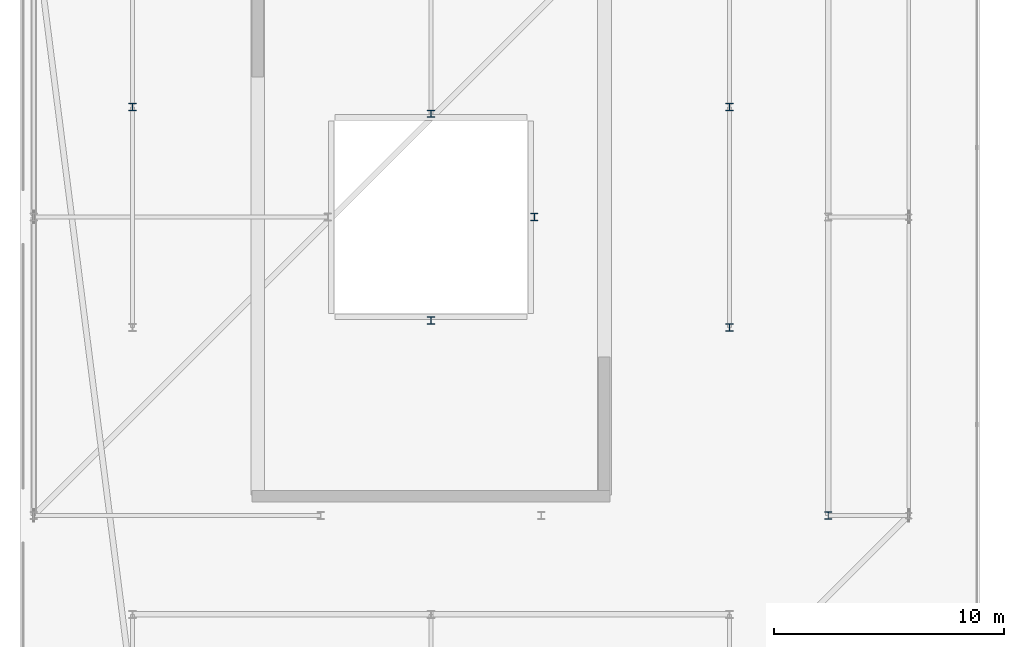
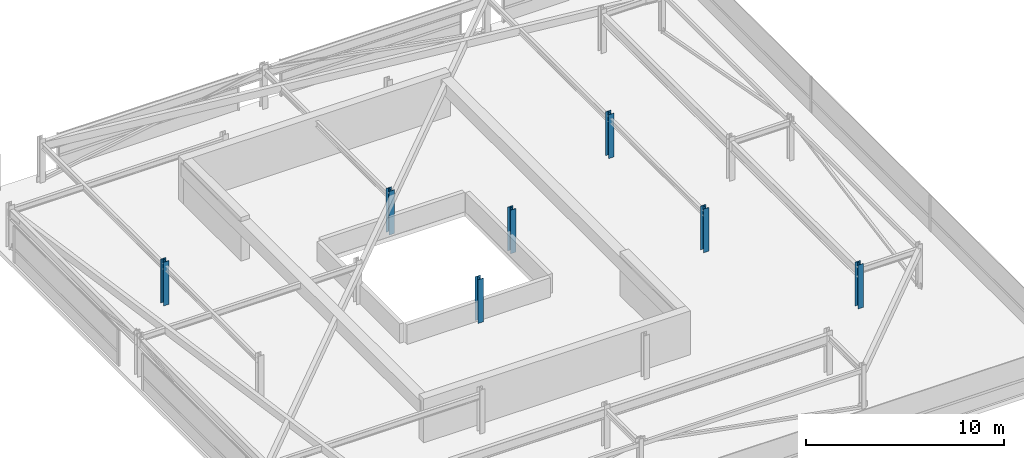
# One storey, part 2 of 44: 7 columns.
"""IFC4 building model written with IfcOpenShell, lengths in metres."""

import ifcopenshell
import ifcopenshell.guid

model = None  # the IFC model being written
_history = None  # IfcOwnerHistory: only IFC2X3 demands one
_inside = {}  # id of a spatial element -> (the spatial element, [elements in it])
_under = {}  # id of a project, library or spatial element -> (it, [spatial elements below it])
_declared = {}  # id of a project -> (the project, [libraries it declares])
_typed = {}  # id of a type object -> (the type object, [elements of that type])
_made_of = {}  # id of a material, layer set ... -> (it, [elements and type objects made of it])


def new_model(schema):
    """Start an empty IFC model of exactly this schema.

    Asked for "IFC4X3", IfcOpenShell would pick the latest addendum, in which some entities
    have other attributes; the version numbers below select the first issue.
    IFC2X3 requires an IfcOwnerHistory on every rooted entity: one is made here for all.
    """
    global model, _history
    if schema == "IFC4X3":
        model = ifcopenshell.file(schema_version=(4, 3, 0, 0))
    else:
        model = ifcopenshell.file(schema=schema)
    _inside.clear()
    _under.clear()
    _declared.clear()
    _typed.clear()
    _made_of.clear()
    _history = None
    if model.schema == "IFC2X3":
        org = make("IfcOrganization", Name="unknown")
        user = make(
            "IfcPersonAndOrganization",
            ThePerson=make("IfcPerson", FamilyName="unknown"),
            TheOrganization=org,
        )
        app = make(
            "IfcApplication",
            ApplicationDeveloper=org,
            Version="unknown",
            ApplicationFullName="unknown",
            ApplicationIdentifier="unknown",
        )
        _history = make(
            "IfcOwnerHistory",
            OwningUser=user,
            OwningApplication=app,
            ChangeAction="ADDED",
            CreationDate=0,
        )
    return model


def make(cls, **values):
    """One entity of the class cls with the attributes given. An attribute that is None is left unset."""
    return model.create_entity(
        cls, **{name: value for name, value in values.items() if value is not None}
    )


def rooted(cls, **values):
    """An entity with a GlobalId (a new one), such as an element, a storey or a relation."""
    return make(cls, GlobalId=ifcopenshell.guid.new(), OwnerHistory=_history, **values)


def si_unit(unit_type, name, prefix=None):
    """IfcSIUnit, for example si_unit("LENGTHUNIT", "METRE", prefix="MILLI")."""
    return make("IfcSIUnit", UnitType=unit_type, Prefix=prefix, Name=name)


def assignment(units):
    """IfcUnitAssignment: the units of a project."""
    return None if units is None else make("IfcUnitAssignment", Units=units)


def point(xyz):
    """IfcCartesianPoint."""
    return None if xyz is None else make("IfcCartesianPoint", Coordinates=xyz)


def direction(xyz):
    """IfcDirection."""
    return None if xyz is None else make("IfcDirection", DirectionRatios=xyz)


def frame(location, z_axis=None, x_axis=None):
    """IfcAxis2Placement3D, a coordinate frame: its origin and axes. An axis left out is left unset."""
    return make(
        "IfcAxis2Placement3D",
        Location=point(location),
        Axis=direction(z_axis),
        RefDirection=direction(x_axis),
    )


def frame_2d(location, x_axis=None):
    """IfcAxis2Placement2D, a coordinate frame in the plane: its origin and x axis."""
    return make(
        "IfcAxis2Placement2D", Location=point(location), RefDirection=direction(x_axis)
    )


def origin():
    """The frame at (0, 0, 0) with its axes left unset."""
    return frame((0.0, 0.0, 0.0))


def origin_2d():
    """The frame at (0, 0) in the plane with its x axis left unset."""
    return frame_2d((0.0, 0.0))


def place(relative_to, where):
    """IfcLocalPlacement: puts the frame where relative to a parent placement (None: the world)."""
    return make(
        "IfcLocalPlacement", PlacementRelTo=relative_to, RelativePlacement=where
    )


def context(
    kind, dimensions, precision=None, world=None, true_north=None, identifier=None
):
    """IfcGeometricRepresentationContext, for example the 3D "Model" context."""
    return make(
        "IfcGeometricRepresentationContext",
        ContextIdentifier=identifier,
        ContextType=kind,
        CoordinateSpaceDimension=dimensions,
        Precision=precision,
        WorldCoordinateSystem=world,
        TrueNorth=true_north,
    )


def subcontext(parent, identifier, kind, view, scale=None):
    """IfcGeometricRepresentationSubContext, for example "Body" below "Model"."""
    return make(
        "IfcGeometricRepresentationSubContext",
        ContextIdentifier=identifier,
        ContextType=kind,
        ParentContext=parent,
        TargetScale=scale,
        TargetView=view,
    )


def project(units=None, contexts=None):
    """IfcProject with its units and contexts."""
    return rooted(
        "IfcProject",
        Name="project",
        RepresentationContexts=contexts,
        UnitsInContext=assignment(units),
    )


def spatial(cls, under=None, at=None, **own):
    """A site, building, storey or space (cls), placed at a placement, below another one or the project."""
    s = rooted(cls, ObjectPlacement=at, **own)
    if under is not None:
        _under.setdefault(under.id(), (under, []))[1].append(s)
    return s


def profile(cls, at=None, kind="AREA", **sizes):
    """A parametric profile (cls). Its sizes go by their IFC names, for example OverallWidth=200.0."""
    return make(cls, ProfileType=kind, Position=at, **sizes)


def i_section(**sizes):
    """IfcIShapeProfileDef."""
    return profile("IfcIShapeProfileDef", **sizes)


def extrude(swept, where, along, depth):
    """IfcExtrudedAreaSolid: the profile swept, set in the frame where, extruded along a direction by depth."""
    return make(
        "IfcExtrudedAreaSolid",
        SweptArea=swept,
        Position=where,
        ExtrudedDirection=direction(along),
        Depth=depth,
    )


def shape(context_of_items, identifier, shape_type, items):
    """IfcShapeRepresentation: the items that make up one representation, for example the "Body"."""
    return make(
        "IfcShapeRepresentation",
        ContextOfItems=context_of_items,
        RepresentationIdentifier=identifier,
        RepresentationType=shape_type,
        Items=items,
    )


def material(Name=None, Category=None):
    """IfcMaterial."""
    return make("IfcMaterial", Name=Name, Category=Category)


def material_profile(
    of_material, cross_section, Name=None, Category=None, Priority=None
):
    """IfcMaterialProfile: a cross section and its material."""
    return make(
        "IfcMaterialProfile",
        Name=Name,
        Material=of_material,
        Profile=cross_section,
        Priority=Priority,
        Category=Category,
    )


def profile_set(profiles, Name=None, composite=None):
    """IfcMaterialProfileSet."""
    return make(
        "IfcMaterialProfileSet",
        Name=Name,
        MaterialProfiles=profiles,
        CompositeProfile=composite,
    )


def made_of(thing, what):
    """Note that an element or type object is made of a material, layer set ...; save() writes the relation."""
    if what is not None:
        _made_of.setdefault(what.id(), (what, []))[1].append(thing)
    return thing


def type_object(cls, material=None, **own):
    """A type object (cls), such as IfcWallType, which elements share."""
    return made_of(rooted(cls, **own), material)


def element(
    cls,
    number,
    at=None,
    inside=None,
    cuts=None,
    type_object=None,
    material=None,
    context=None,
    identifier="Body",
    shape_type=None,
    held_by="IfcProductDefinitionShape",
    body=None,
    shapes=None,
    **own,
):
    """One element of the class cls, such as IfcWall. Its Tag is "e" and its number.

    at: its placement. inside: the storey or other place that contains it. cuts: it is an
    opening in that element (IfcRelVoidsElement). A single representation is given by context,
    identifier, shape_type and body (its items); several are given by shapes. held_by: the class
    of the entity that holds the representations. save() writes the other relations.
    """
    e = rooted(cls, Tag="e%d" % number, ObjectPlacement=at, **own)
    if body is not None:
        shapes = [shape(context, identifier, shape_type, body)]
    if shapes is not None:
        e.Representation = make(held_by, Representations=shapes)
    if inside is not None:
        _inside.setdefault(inside.id(), (inside, []))[1].append(e)
    if cuts is not None:
        rooted(
            "IfcRelVoidsElement", RelatingBuildingElement=cuts, RelatedOpeningElement=e
        )
    if type_object is not None:
        _typed.setdefault(type_object.id(), (type_object, []))[1].append(e)
    return made_of(e, material)


def aggregate(whole, parts):
    """IfcRelAggregates: a whole, such as a stair, and the parts it consists of."""
    return rooted("IfcRelAggregates", RelatingObject=whole, RelatedObjects=parts)


def save(model, path):
    """Write the relations noted so far, then the file.

    IfcRelAggregates (storeys below a building ...), IfcRelContainedInSpatialStructure (elements
    in a storey), IfcRelDefinesByType, IfcRelAssociatesMaterial and IfcRelDeclares: one each for
    every whole, place, type object, material and project.
    """
    for whole, parts in _under.values():
        aggregate(whole, parts)
    for where, things in _inside.values():
        rooted(
            "IfcRelContainedInSpatialStructure",
            RelatedElements=things,
            RelatingStructure=where,
        )
    for kind, things in _typed.values():
        rooted("IfcRelDefinesByType", RelatedObjects=things, RelatingType=kind)
    for what, things in _made_of.values():
        rooted("IfcRelAssociatesMaterial", RelatedObjects=things, RelatingMaterial=what)
    for by, libraries in _declared.values():
        rooted("IfcRelDeclares", RelatingContext=by, RelatedDefinitions=libraries)
    model.write(path)


model = new_model("IFC4")

# Units and contexts
model_context = context("Model", 3, precision=1e-05, world=origin(), true_north=direction((0.0, 1.0)))
body_context = subcontext(model_context, "Body", "Model", "MODEL_VIEW")
ifc_project = project(units=[si_unit("LENGTHUNIT", "METRE"), si_unit("AREAUNIT", "SQUARE_METRE"), si_unit("VOLUMEUNIT", "CUBIC_METRE"), si_unit("PLANEANGLEUNIT", "RADIAN"), si_unit("MASSUNIT", "GRAM", prefix="KILO")], contexts=[model_context])

# Site, building, storey
site_placement = place(None, origin())
site = spatial("IfcSite", under=ifc_project, at=site_placement, CompositionType="ELEMENT")
building_placement = place(site_placement, origin())
building = spatial("IfcBuilding", under=site, at=building_placement, Name="Thornwick Lancets Civic Towers", CompositionType="ELEMENT")
storey_placement = place(building_placement, frame((0.0, 0.0, 294.89990234375)))
storey = spatial("IfcBuildingStorey", under=building, at=storey_placement, Name="C06", CompositionType="ELEMENT", Elevation=294.89990234375)

# Columns
ifc_material = material(Name="Steel S355JR", Category="steel")
ifc_material_profile = material_profile(ifc_material, i_section(OverallWidth=0.30908203125, OverallDepth=0.320556640625, WebThickness=0.013916015625, FlangeThickness=0.021728515625, FilletRadius=0.01513671875, at=origin_2d()), Name="UKC 305x305x137")
ifc_profile_set = profile_set([ifc_material_profile], Name="Steel S355JR")
column_type = type_object("IfcColumnType", Name="COL_UKC_137", PredefinedType="COLUMN", material=ifc_profile_set)
for number, where, z_axis, x_axis, name in (
    (1, (42.800048828125, 14.0, 0.0), (0.0, 0.0, 1.0), (1.0, 0.0, 0.0), "C06 Spine Mega-Column A04"),
    (2, (38.5, 22.199951171875, 0.0), (0.0, 0.0, 1.0), (1.0, 0.0, 0.0), "C06 Spine Mega-Column A14"),
    (3, (12.5, 31.800048828125, 0.0), (0.0, 0.0, 1.0), (1.0, 0.0, 0.0), "C06 Spine Mega-Column A15"),
    (4, (38.5, 31.800048828125, 0.0), (0.0, 0.0, 1.0), (1.0, 0.0, 0.0), "C06 Spine Mega-Column A16"),
    (5, (25.5, 22.5, 0.0), (0.0, 0.0, 1.0), (1.0, 0.0, 0.0), "C06 Spine Mega-Column A21"),
    (6, (25.5, 31.5, 0.0), (0.0, 0.0, 1.0), (1.0, 0.0, 0.0), "C06 Spine Mega-Column A22"),
    (7, (30.0, 27.0, 0.0), (0.0, 0.0, 1.0), (1.0, 0.0, 0.0), "C06 Spine Mega-Column A24"),
):
    element("IfcColumn", number, at=place(storey_placement, frame(where, z_axis=z_axis, x_axis=x_axis)), inside=storey, type_object=column_type, Name=name, PredefinedType="COLUMN", context=body_context, shape_type="SweptSolid", body=[
        extrude(i_section(OverallWidth=0.30908203125, OverallDepth=0.320556640625, WebThickness=0.013916015625, FlangeThickness=0.021728515625, FilletRadius=0.01513671875, at=origin_2d()), origin(), (0.0, 0.0, 1.0), 2.7001953125),
    ])

save(model, "model.ifc")
